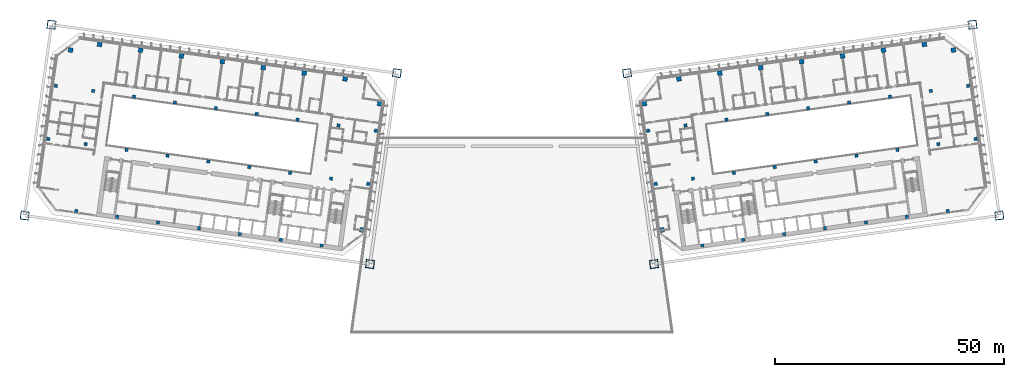
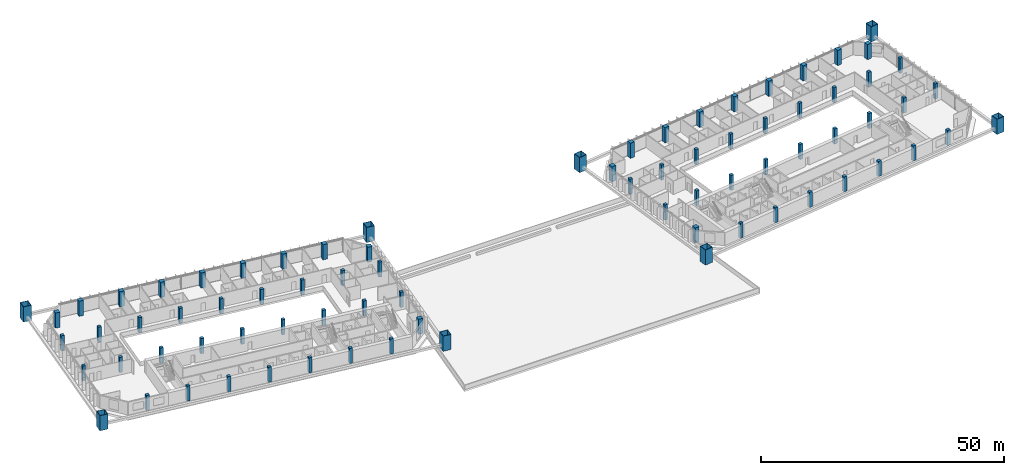
# One storey, part 1 of 46: 78 columns.
"""IFC4 building model written with IfcOpenShell, lengths in metres."""

from ifc_helpers import new_model, si_unit, direction, frame, origin, origin_2d, place, context, subcontext, project, spatial, rectangle, hollow_rectangle, extrude, material, material_profile, profile_set, type_object, element, save


model = new_model("IFC4")

# Units and contexts
model_context = context("Model", 3, precision=1e-05, world=origin(), true_north=direction((0.0, 1.0)))
body_context = subcontext(model_context, "Body", "Model", "MODEL_VIEW")
ifc_project = project(units=[si_unit("LENGTHUNIT", "METRE"), si_unit("AREAUNIT", "SQUARE_METRE"), si_unit("VOLUMEUNIT", "CUBIC_METRE"), si_unit("PLANEANGLEUNIT", "RADIAN"), si_unit("MASSUNIT", "GRAM", prefix="KILO")], contexts=[model_context])

# Site, building, storey
site_placement = place(None, origin())
site = spatial("IfcSite", under=ifc_project, at=site_placement, CompositionType="ELEMENT")
building_placement = place(site_placement, origin())
building = spatial("IfcBuilding", under=site, at=building_placement, Name="Mirante Cascada Hotel Towers", CompositionType="ELEMENT")
storey_placement = place(building_placement, frame((0.0, 0.0, 39.5)))
storey = spatial("IfcBuildingStorey", under=building, at=storey_placement, Name="L06", CompositionType="ELEMENT", Elevation=39.5)

# Columns
ifc_material_1 = material(Name="Steel ASTM A572 Gr 50", Category="steel")
ifc_material_profile_1 = material_profile(ifc_material_1, hollow_rectangle(XDim=1.8, YDim=1.8, WallThickness=0.08, at=origin_2d()), Name="Box column 1800x1800x80 ASTM A572 Gr 50")
ifc_profile_set_1 = profile_set([ifc_material_profile_1], Name="Steel ASTM A572 Gr 50")
column_type_1 = type_object("IfcColumnType", Name="Box column 1800x1800x80 ASTM A572 Gr 50", PredefinedType="COLUMN", material=ifc_profile_set_1)
for number, where, z_axis, x_axis, name in (
    (1, (-25.0968, 18.5173, 0.0), (0.0, 0.0, 1.0), (-0.9902681, 0.1391731, 0.0), "Mega column MC1 T1 L06"),
    (2, (-30.9421, -23.074, 0.0), (0.0, 0.0, 1.0), (-0.9902681, 0.1391731, 0.0), "Mega column MC2 T1 L06"),
    (3, (-100.3572, 29.0944, 0.0), (0.0, 0.0, 1.0), (-0.9902681, 0.1391731, 0.0), "Mega column MC3 T1 L06"),
    (4, (-106.2025, -12.4968, 0.0), (0.0, 0.0, 1.0), (-0.9902681, 0.1391731, 0.0), "Mega column MC4 T1 L06"),
    (5, (25.0968, 18.5173, 0.0), (0.0, 0.0, 1.0), (0.9902681, 0.1391731, 0.0), "Mega column MC1 T2 L06"),
    (6, (30.9421, -23.074, 0.0), (0.0, 0.0, 1.0), (0.9902681, 0.1391731, 0.0), "Mega column MC2 T2 L06"),
    (7, (100.3572, 29.0944, 0.0), (0.0, 0.0, 1.0), (0.9902681, 0.1391731, 0.0), "Mega column MC3 T2 L06"),
    (8, (106.2025, -12.4968, 0.0), (0.0, 0.0, 1.0), (0.9902681, 0.1391731, 0.0), "Mega column MC4 T2 L06"),
):
    element("IfcColumn", number, at=place(storey_placement, frame(where, z_axis=z_axis, x_axis=x_axis)), inside=storey, type_object=column_type_1, Name=name, PredefinedType="COLUMN", context=body_context, shape_type="SweptSolid", body=[
        extrude(hollow_rectangle(XDim=1.8, YDim=1.8, WallThickness=0.08, at=origin_2d()), origin(), (0.0, 0.0, 1.0), 3.8),
    ])
ifc_material_2 = material(Name="Concrete C60/75", Category="concrete")
ifc_material_profile_2 = material_profile(ifc_material_2, rectangle(XDim=1.0, YDim=1.0, at=origin_2d()), Name="RC column 1000x1000 C60/75")
ifc_profile_set_2 = profile_set([ifc_material_profile_2], Name="Concrete C60/75")
column_type_2 = type_object("IfcColumnType", Name="RC column 1000x1000 C60/75", PredefinedType="COLUMN", material=ifc_profile_set_2)
for number, where, z_axis, x_axis, name in (
    (9, (-28.8577, 11.8761, 0.0), (0.0, 0.0, 1.0), (-0.9902681, 0.1391731, 0.0), "Column T1 L06 1"),
    (10, (-32.7267, -15.6534, 0.0), (0.0, 0.0, 1.0), (-0.9902681, 0.1391731, 0.0), "Column T1 L06 4"),
    (11, (-36.3795, 17.2754, 0.0), (0.0, 0.0, 1.0), (-0.9902681, 0.1391731, 0.0), "Column T1 L06 5"),
    (12, (-45.2919, 18.528, 0.0), (0.0, 0.0, 1.0), (-0.9902681, 0.1391731, 0.0), "Column T1 L06 9"),
    (13, (-54.2043, 19.7806, 0.0), (0.0, 0.0, 1.0), (-0.9902681, 0.1391731, 0.0), "Column T1 L06 13"),
    (14, (-63.1167, 21.0331, 0.0), (0.0, 0.0, 1.0), (-0.9902681, 0.1391731, 0.0), "Column T1 L06 17"),
    (15, (-72.0291, 22.2857, 0.0), (0.0, 0.0, 1.0), (-0.9902681, 0.1391731, 0.0), "Column T1 L06 21"),
    (16, (-80.9415, 23.5382, 0.0), (0.0, 0.0, 1.0), (-0.9902681, 0.1391731, 0.0), "Column T1 L06 25"),
    (17, (-89.8539, 24.7908, 0.0), (0.0, 0.0, 1.0), (-0.9902681, 0.1391731, 0.0), "Column T1 L06 29"),
    (18, (-96.1868, 23.5602, 0.0), (0.0, 0.0, 1.0), (-0.9902681, 0.1391731, 0.0), "Column T1 L06 33"),
    (19, (28.8577, 11.8761, 0.0), (0.0, 0.0, 1.0), (0.9902681, 0.1391731, 0.0), "Column T2 L06 1"),
    (20, (32.7267, -15.6534, 0.0), (0.0, 0.0, 1.0), (0.9902681, 0.1391731, 0.0), "Column T2 L06 4"),
    (21, (36.3795, 17.2754, 0.0), (0.0, 0.0, 1.0), (0.9902681, 0.1391731, 0.0), "Column T2 L06 5"),
    (22, (45.2919, 18.528, 0.0), (0.0, 0.0, 1.0), (0.9902681, 0.1391731, 0.0), "Column T2 L06 9"),
    (23, (54.2043, 19.7806, 0.0), (0.0, 0.0, 1.0), (0.9902681, 0.1391731, 0.0), "Column T2 L06 13"),
    (24, (63.1167, 21.0331, 0.0), (0.0, 0.0, 1.0), (0.9902681, 0.1391731, 0.0), "Column T2 L06 17"),
    (25, (72.0291, 22.2857, 0.0), (0.0, 0.0, 1.0), (0.9902681, 0.1391731, 0.0), "Column T2 L06 21"),
    (26, (80.9415, 23.5382, 0.0), (0.0, 0.0, 1.0), (0.9902681, 0.1391731, 0.0), "Column T2 L06 25"),
    (27, (89.8539, 24.7908, 0.0), (0.0, 0.0, 1.0), (0.9902681, 0.1391731, 0.0), "Column T2 L06 29"),
    (28, (96.1868, 23.5602, 0.0), (0.0, 0.0, 1.0), (0.9902681, 0.1391731, 0.0), "Column T2 L06 33"),
):
    element("IfcColumn", number, at=place(storey_placement, frame(where, z_axis=z_axis, x_axis=x_axis)), inside=storey, type_object=column_type_2, Name=name, PredefinedType="COLUMN", context=body_context, shape_type="SweptSolid", body=[
        extrude(rectangle(XDim=1.0, YDim=1.0, at=origin_2d()), origin(), (0.0, 0.0, 1.0), 3.8),
    ])
ifc_material_3 = material(Name="Concrete C60/75", Category="concrete")
ifc_material_profile_3 = material_profile(ifc_material_3, rectangle(XDim=0.7, YDim=0.7, at=origin_2d()), Name="RC column 700x700 C60/75")
ifc_profile_set_3 = profile_set([ifc_material_profile_3], Name="Concrete C60/75")
column_type_3 = type_object("IfcColumnType", Name="RC column 700x700 C60/75", PredefinedType="COLUMN", material=ifc_profile_set_3)
for number, where, z_axis, x_axis, name in (
    (29, (-29.6858, 5.984, 0.0), (0.0, 0.0, 1.0), (-0.9902681, 0.1391731, 0.0), "Column T1 L06 2"),
    (30, (-31.3141, -5.6022, 0.0), (0.0, 0.0, 1.0), (-0.9902681, 0.1391731, 0.0), "Column T1 L06 3"),
    (31, (-37.806, 7.1252, 0.0), (0.0, 0.0, 1.0), (-0.9902681, 0.1391731, 0.0), "Column T1 L06 6"),
    (32, (-39.4343, -4.4609, 0.0), (0.0, 0.0, 1.0), (-0.9902681, 0.1391731, 0.0), "Column T1 L06 7"),
    (33, (-41.4802, -19.0179, 0.0), (0.0, 0.0, 1.0), (-0.9902681, 0.1391731, 0.0), "Column T1 L06 8"),
    (34, (-46.7184, 8.3777, 0.0), (0.0, 0.0, 1.0), (-0.9902681, 0.1391731, 0.0), "Column T1 L06 10"),
    (35, (-48.3467, -3.2084, 0.0), (0.0, 0.0, 1.0), (-0.9902681, 0.1391731, 0.0), "Column T1 L06 11"),
    (36, (-50.3926, -17.7653, 0.0), (0.0, 0.0, 1.0), (-0.9902681, 0.1391731, 0.0), "Column T1 L06 12"),
    (37, (-55.6308, 9.6303, 0.0), (0.0, 0.0, 1.0), (-0.9902681, 0.1391731, 0.0), "Column T1 L06 14"),
    (38, (-57.2591, -1.9558, 0.0), (0.0, 0.0, 1.0), (-0.9902681, 0.1391731, 0.0), "Column T1 L06 15"),
    (39, (-59.305, -16.5128, 0.0), (0.0, 0.0, 1.0), (-0.9902681, 0.1391731, 0.0), "Column T1 L06 16"),
    (40, (-64.5432, 10.8829, 0.0), (0.0, 0.0, 1.0), (-0.9902681, 0.1391731, 0.0), "Column T1 L06 18"),
    (41, (-66.1716, -0.7033, 0.0), (0.0, 0.0, 1.0), (-0.9902681, 0.1391731, 0.0), "Column T1 L06 19"),
    (42, (-68.2174, -15.2602, 0.0), (0.0, 0.0, 1.0), (-0.9902681, 0.1391731, 0.0), "Column T1 L06 20"),
    (43, (-73.4556, 12.1354, 0.0), (0.0, 0.0, 1.0), (-0.9902681, 0.1391731, 0.0), "Column T1 L06 22"),
    (44, (-75.084, 0.5493, 0.0), (0.0, 0.0, 1.0), (-0.9902681, 0.1391731, 0.0), "Column T1 L06 23"),
    (45, (-77.1298, -14.0077, 0.0), (0.0, 0.0, 1.0), (-0.9902681, 0.1391731, 0.0), "Column T1 L06 24"),
    (46, (-82.368, 13.388, 0.0), (0.0, 0.0, 1.0), (-0.9902681, 0.1391731, 0.0), "Column T1 L06 26"),
    (47, (-83.9964, 1.8018, 0.0), (0.0, 0.0, 1.0), (-0.9902681, 0.1391731, 0.0), "Column T1 L06 27"),
    (48, (-86.0422, -12.7551, 0.0), (0.0, 0.0, 1.0), (-0.9902681, 0.1391731, 0.0), "Column T1 L06 28"),
    (49, (-91.2805, 14.6405, 0.0), (0.0, 0.0, 1.0), (-0.9902681, 0.1391731, 0.0), "Column T1 L06 30"),
    (50, (-92.9088, 3.0544, 0.0), (0.0, 0.0, 1.0), (-0.9902681, 0.1391731, 0.0), "Column T1 L06 31"),
    (51, (-94.9546, -11.5025, 0.0), (0.0, 0.0, 1.0), (-0.9902681, 0.1391731, 0.0), "Column T1 L06 32"),
    (52, (-99.4007, 15.7818, 0.0), (0.0, 0.0, 1.0), (-0.9902681, 0.1391731, 0.0), "Column T1 L06 34"),
    (53, (-101.029, 4.1956, 0.0), (0.0, 0.0, 1.0), (-0.9902681, 0.1391731, 0.0), "Column T1 L06 35"),
    (54, (29.6858, 5.984, 0.0), (0.0, 0.0, 1.0), (0.9902681, 0.1391731, 0.0), "Column T2 L06 2"),
    (55, (31.3141, -5.6022, 0.0), (0.0, 0.0, 1.0), (0.9902681, 0.1391731, 0.0), "Column T2 L06 3"),
    (56, (37.806, 7.1252, 0.0), (0.0, 0.0, 1.0), (0.9902681, 0.1391731, 0.0), "Column T2 L06 6"),
    (57, (39.4343, -4.4609, 0.0), (0.0, 0.0, 1.0), (0.9902681, 0.1391731, 0.0), "Column T2 L06 7"),
    (58, (41.4802, -19.0179, 0.0), (0.0, 0.0, 1.0), (0.9902681, 0.1391731, 0.0), "Column T2 L06 8"),
    (59, (46.7184, 8.3777, 0.0), (0.0, 0.0, 1.0), (0.9902681, 0.1391731, 0.0), "Column T2 L06 10"),
    (60, (48.3467, -3.2084, 0.0), (0.0, 0.0, 1.0), (0.9902681, 0.1391731, 0.0), "Column T2 L06 11"),
    (61, (50.3926, -17.7653, 0.0), (0.0, 0.0, 1.0), (0.9902681, 0.1391731, 0.0), "Column T2 L06 12"),
    (62, (55.6308, 9.6303, 0.0), (0.0, 0.0, 1.0), (0.9902681, 0.1391731, 0.0), "Column T2 L06 14"),
    (63, (57.2591, -1.9558, 0.0), (0.0, 0.0, 1.0), (0.9902681, 0.1391731, 0.0), "Column T2 L06 15"),
    (64, (59.305, -16.5128, 0.0), (0.0, 0.0, 1.0), (0.9902681, 0.1391731, 0.0), "Column T2 L06 16"),
    (65, (64.5432, 10.8829, 0.0), (0.0, 0.0, 1.0), (0.9902681, 0.1391731, 0.0), "Column T2 L06 18"),
    (66, (66.1716, -0.7033, 0.0), (0.0, 0.0, 1.0), (0.9902681, 0.1391731, 0.0), "Column T2 L06 19"),
    (67, (68.2174, -15.2602, 0.0), (0.0, 0.0, 1.0), (0.9902681, 0.1391731, 0.0), "Column T2 L06 20"),
    (68, (73.4556, 12.1354, 0.0), (0.0, 0.0, 1.0), (0.9902681, 0.1391731, 0.0), "Column T2 L06 22"),
    (69, (75.084, 0.5493, 0.0), (0.0, 0.0, 1.0), (0.9902681, 0.1391731, 0.0), "Column T2 L06 23"),
    (70, (77.1298, -14.0077, 0.0), (0.0, 0.0, 1.0), (0.9902681, 0.1391731, 0.0), "Column T2 L06 24"),
    (71, (82.368, 13.388, 0.0), (0.0, 0.0, 1.0), (0.9902681, 0.1391731, 0.0), "Column T2 L06 26"),
    (72, (83.9964, 1.8018, 0.0), (0.0, 0.0, 1.0), (0.9902681, 0.1391731, 0.0), "Column T2 L06 27"),
    (73, (86.0422, -12.7551, 0.0), (0.0, 0.0, 1.0), (0.9902681, 0.1391731, 0.0), "Column T2 L06 28"),
    (74, (91.2805, 14.6405, 0.0), (0.0, 0.0, 1.0), (0.9902681, 0.1391731, 0.0), "Column T2 L06 30"),
    (75, (92.9088, 3.0544, 0.0), (0.0, 0.0, 1.0), (0.9902681, 0.1391731, 0.0), "Column T2 L06 31"),
    (76, (94.9546, -11.5025, 0.0), (0.0, 0.0, 1.0), (0.9902681, 0.1391731, 0.0), "Column T2 L06 32"),
    (77, (99.4007, 15.7818, 0.0), (0.0, 0.0, 1.0), (0.9902681, 0.1391731, 0.0), "Column T2 L06 34"),
    (78, (101.029, 4.1956, 0.0), (0.0, 0.0, 1.0), (0.9902681, 0.1391731, 0.0), "Column T2 L06 35"),
):
    element("IfcColumn", number, at=place(storey_placement, frame(where, z_axis=z_axis, x_axis=x_axis)), inside=storey, type_object=column_type_3, Name=name, PredefinedType="COLUMN", context=body_context, shape_type="SweptSolid", body=[
        extrude(rectangle(XDim=0.7, YDim=0.7, at=origin_2d()), origin(), (0.0, 0.0, 1.0), 3.8),
    ])

save(model, "model.ifc")
